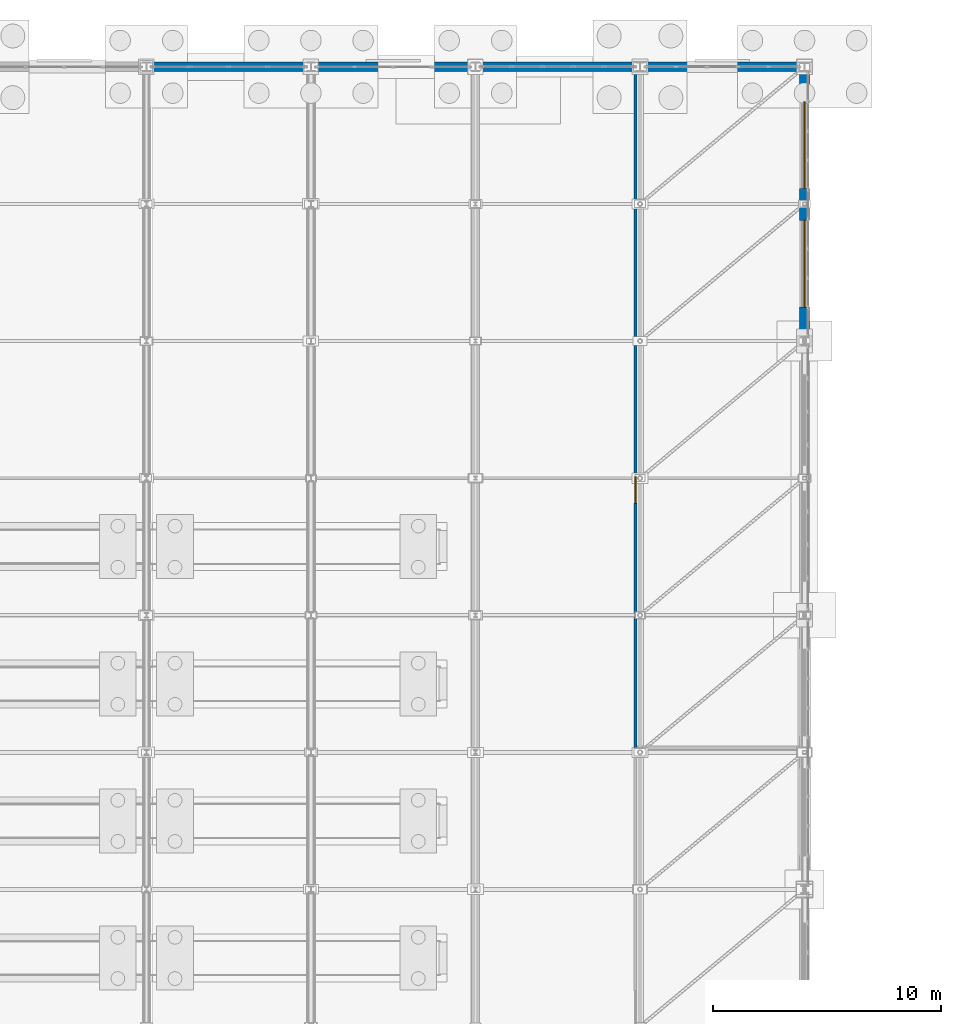
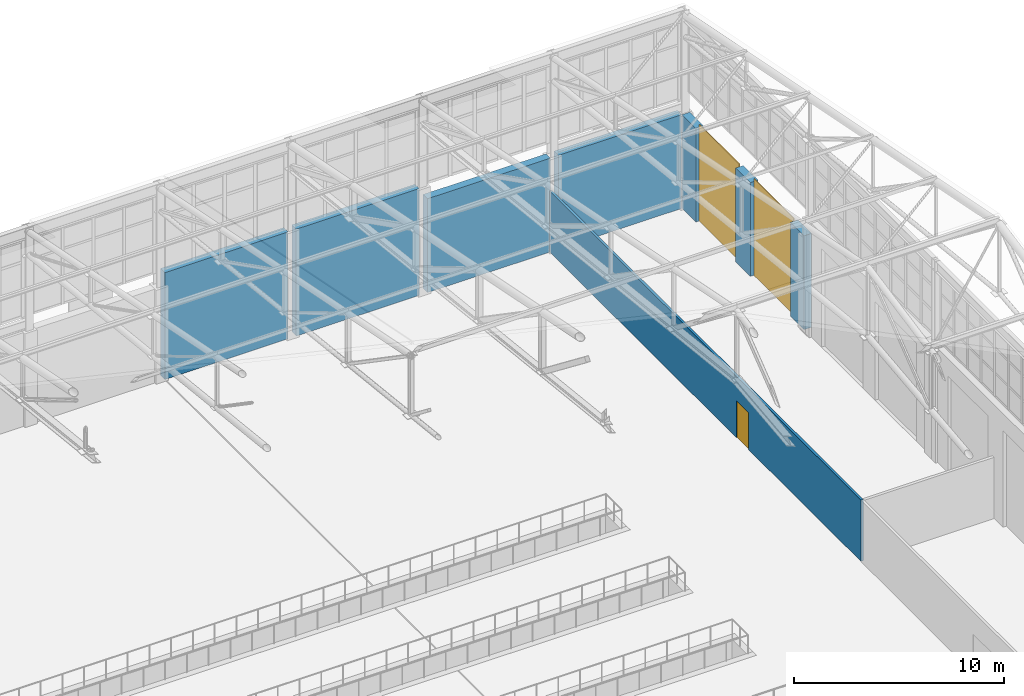
# One storey, part 276 of 293: 6 walls, 3 doors, 3 openings.
"""IFC4 building model written with IfcOpenShell, lengths in metres."""

from ifc_helpers import new_model, si_unit, direction, frame, frame_2d, origin, place, context, subcontext, project, spatial, rectangle, extrude, material, layer, layer_set, type_object, element, fill, save


model = new_model("IFC4")

# Units and contexts
model_context = context("Model", 3, precision=1e-05, world=origin(), true_north=direction((0.0, 1.0)))
body_context = subcontext(model_context, "Body", "Model", "MODEL_VIEW")
ifc_project = project(units=[si_unit("LENGTHUNIT", "METRE"), si_unit("AREAUNIT", "SQUARE_METRE"), si_unit("VOLUMEUNIT", "CUBIC_METRE"), si_unit("PLANEANGLEUNIT", "RADIAN"), si_unit("MASSUNIT", "GRAM", prefix="KILO")], contexts=[model_context])

# Site, building, storey
site_placement = place(None, origin())
site = spatial("IfcSite", under=ifc_project, at=site_placement, CompositionType="ELEMENT")
building_placement = place(site_placement, origin())
building = spatial("IfcBuilding", under=site, at=building_placement, Name="Kemerveld Promenade Tramway Depot", CompositionType="ELEMENT")
storey_placement = place(building_placement, origin())
storey = spatial("IfcBuildingStorey", under=building, at=storey_placement, Name="L00", CompositionType="ELEMENT", Elevation=0.0)

# Walls
ifc_material_1 = material(Name="Harare granite ashlar and clay brick cavity masonry", Category="masonry")
ifc_layer_1 = layer(ifc_material_1, 0.419921875)
ifc_layer_set_1 = layer_set([ifc_layer_1], Name="WL-EXT-420")
wall_type_1 = type_object("IfcWallType", Name="WL-EXT-420", PredefinedType="SOLIDWALL", material=ifc_layer_set_1)
wall_1_placement = place(storey_placement, frame((158.623291015625, 144.0, 0.0), z_axis=(0.0, 0.0, 1.0), x_axis=(1.0, 0.0, 0.0)))
element("IfcWall", 1, at=wall_1_placement, inside=storey, type_object=wall_type_1, Name="WL-V1-N-18", PredefinedType="SOLIDWALL", context=body_context, shape_type="SweptSolid", body=[
    extrude(rectangle(XDim=6.75341796875, YDim=0.419921875, at=frame_2d((3.376708984375, 0.0))), origin(), (0.0, 0.0, 1.0), 6.199951171875),
])
wall_2_placement = place(storey_placement, frame((165.8232421875, 144.0, 0.0), z_axis=(0.0, 0.0, 1.0), x_axis=(1.0, 0.0, 0.0)))
element("IfcWall", 2, at=wall_2_placement, inside=storey, type_object=wall_type_1, Name="WL-V1-N-19", PredefinedType="SOLIDWALL", context=body_context, shape_type="SweptSolid", body=[
    extrude(rectangle(XDim=6.753662109375, YDim=0.419921875, at=frame_2d((3.376953125, 0.0))), origin(), (0.0, 0.0, 1.0), 6.199951171875),
])
for number, where, z_axis, x_axis, name in (
    (3, (173.023193359375, 144.0, 0.0), (0.0, 0.0, 1.0), (1.0, 0.0, 0.0), "WL-V1-N-20"),
    (4, (180.22314453125, 144.0, 0.0), (0.0, 0.0, 1.0), (1.0, 0.0, 0.0), "WL-V1-N-21"),
):
    element("IfcWall", number, at=place(storey_placement, frame(where, z_axis=z_axis, x_axis=x_axis)), inside=storey, type_object=wall_type_1, Name=name, PredefinedType="SOLIDWALL", context=body_context, shape_type="SweptSolid", body=[
        extrude(rectangle(XDim=6.753662109375, YDim=0.419921875, at=frame_2d((3.376953125, 0.0))), origin(), (0.0, 0.0, 1.0), 5.443359375),
    ])

# Wall, openings, doors
wall_3_placement = place(storey_placement, frame((187.199951171875, 143.77685546875, 0.0), z_axis=(0.0, 0.0, 1.0), x_axis=(0.0, -1.0, 0.0)))
wall_3 = element("IfcWall", 5, at=wall_3_placement, inside=storey, type_object=wall_type_1, Name="WL-V1-E-05", PredefinedType="SOLIDWALL", context=body_context, shape_type="SweptSolid", body=[
    extrude(rectangle(XDim=11.59326171875, YDim=0.419921875, at=frame_2d((5.796630859375, 0.0))), origin(), (0.0, 0.0, 1.0), 5.443359375),
])
opening_1_placement = place(wall_3_placement, frame((1.300048828125, 0.0, 0.0)))
opening_1 = element("IfcOpeningElement", 6, at=opening_1_placement, cuts=wall_3, Name="Opening G-121", PredefinedType="OPENING", context=body_context, shape_type="SweptSolid", body=[
    extrude(rectangle(XDim=3.800048828125, YDim=5.60009765625, at=frame_2d((1.89990234375, 2.800048828125))), frame((0.0, 0.219970703125, 0.0), z_axis=(0.0, -1.0, 0.0), x_axis=(1.0, 0.0, 0.0)), (0.0, 0.0, 1.0), 0.43994140625),
])
opening_2_placement = place(wall_3_placement, frame((6.492919921875, 0.0, 0.0)))
opening_2 = element("IfcOpeningElement", 7, at=opening_2_placement, cuts=wall_3, Name="Opening G-122", PredefinedType="OPENING", context=body_context, shape_type="SweptSolid", body=[
    extrude(rectangle(XDim=3.800048828125, YDim=5.60009765625, at=frame_2d((1.89990234375, 2.800048828125))), frame((0.0, 0.219970703125, 0.0), z_axis=(0.0, -1.0, 0.0), x_axis=(1.0, 0.0, 0.0)), (0.0, 0.0, 1.0), 0.43994140625),
])
ifc_material_2 = material(Name="Insulated powder-coated steel bi-folding tram gate", Category="steel")
door_type_1 = type_object("IfcDoorType", Name="GT-TRAM1", OperationType="FOLDING_TO_LEFT", PredefinedType="GATE", material=ifc_material_2)
door_1_placement = place(opening_1_placement, origin())
door_1 = element("IfcDoor", 8, at=door_1_placement, inside=storey, type_object=door_type_1, Name="GT-V1-E-5-1", OperationType="FOLDING_TO_LEFT", OverallHeight=5.60009765625, OverallWidth=3.800048828125, PredefinedType="GATE", context=body_context, shape_type="SweptSolid", body=[
    extrude(rectangle(XDim=3.800048828125, YDim=5.60009765625, at=frame_2d((1.89990234375, 2.800048828125))), frame((0.0, 0.02490234375, 0.0), z_axis=(0.0, -1.0, 0.0), x_axis=(1.0, 0.0, 0.0)), (0.0, 0.0, 1.0), 0.050048828125),
])
fill(opening_1, door_1)
door_2_placement = place(opening_2_placement, origin())
door_2 = element("IfcDoor", 9, at=door_2_placement, inside=storey, type_object=door_type_1, Name="GT-V1-E-5-2", OperationType="FOLDING_TO_LEFT", OverallHeight=5.60009765625, OverallWidth=3.800048828125, PredefinedType="GATE", context=body_context, shape_type="SweptSolid", body=[
    extrude(rectangle(XDim=3.800048828125, YDim=5.60009765625, at=frame_2d((1.89990234375, 2.800048828125))), frame((0.0, 0.02490234375, 0.0), z_axis=(0.0, -1.0, 0.0), x_axis=(1.0, 0.0, 0.0)), (0.0, 0.0, 1.0), 0.050048828125),
])
fill(opening_2, door_2)

# Wall, opening, door
ifc_material_3 = material(Name="Moisture-resistant masonry partition", Category="masonry")
ifc_layer_2 = layer(ifc_material_3, 0.1298828125)
ifc_layer_set_2 = layer_set([ifc_layer_2], Name="WL-PRT-130")
wall_type_2 = type_object("IfcWallType", Name="WL-PRT-130", PredefinedType="PARTITIONING", material=ifc_layer_set_2)
wall_4_placement = place(storey_placement, frame((179.800048828125, 114.199951171875, 0.0), z_axis=(0.0, 0.0, 1.0), x_axis=(0.0, 1.0, 0.0)))
wall_4 = element("IfcWall", 10, at=wall_4_placement, inside=storey, type_object=wall_type_2, Name="WL-PRT-RM-L00-V1-SHUNT", PredefinedType="PARTITIONING", context=body_context, shape_type="SweptSolid", body=[
    extrude(rectangle(XDim=29.590087890625, YDim=0.1298828125, at=frame_2d((14.794921875, 0.0))), origin(), (0.0, 0.0, 1.0), 3.550048828125),
])
opening_3_placement = place(wall_4_placement, frame((10.7109375, 0.0, 0.0)))
opening_3 = element("IfcOpeningElement", 11, at=opening_3_placement, cuts=wall_4, Name="Opening D-590", PredefinedType="OPENING", context=body_context, shape_type="SweptSolid", body=[
    extrude(rectangle(XDim=1.14990234375, YDim=2.14990234375, at=frame_2d((0.574951171875, 1.074951171875))), frame((0.0, 0.074951171875, 0.0), z_axis=(0.0, -1.0, 0.0), x_axis=(1.0, 0.0, 0.0)), (0.0, 0.0, 1.0), 0.14990234375),
])
ifc_material_4 = material(Name="Laboratory and studio door")
door_type_2 = type_object("IfcDoorType", Name="DR-INT04", OperationType="NOTDEFINED", PredefinedType="DOOR", material=ifc_material_4)
door_3_placement = place(opening_3_placement, origin())
door_3 = element("IfcDoor", 12, at=door_3_placement, inside=storey, type_object=door_type_2, Name="DR-RM-RM-L00-V1-SHUNT", OperationType="SINGLE_SWING_LEFT", OverallHeight=2.14990234375, OverallWidth=1.14990234375, PredefinedType="DOOR", context=body_context, shape_type="SweptSolid", body=[
    extrude(rectangle(XDim=1.14990234375, YDim=2.14990234375, at=frame_2d((0.574951171875, 1.074951171875))), frame((0.0, 0.02490234375, 0.0), z_axis=(0.0, -1.0, 0.0), x_axis=(1.0, 0.0, 0.0)), (0.0, 0.0, 1.0), 0.050048828125),
])
fill(opening_3, door_3)

save(model, "model.ifc")
